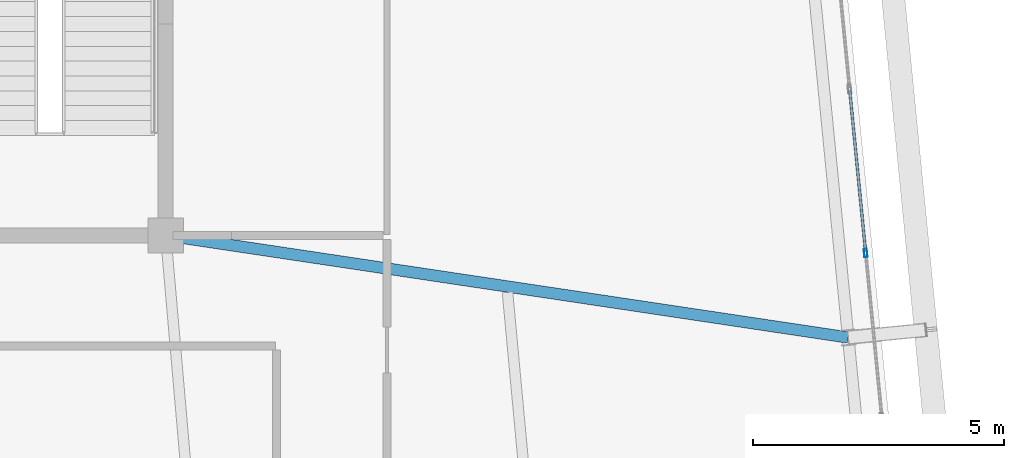
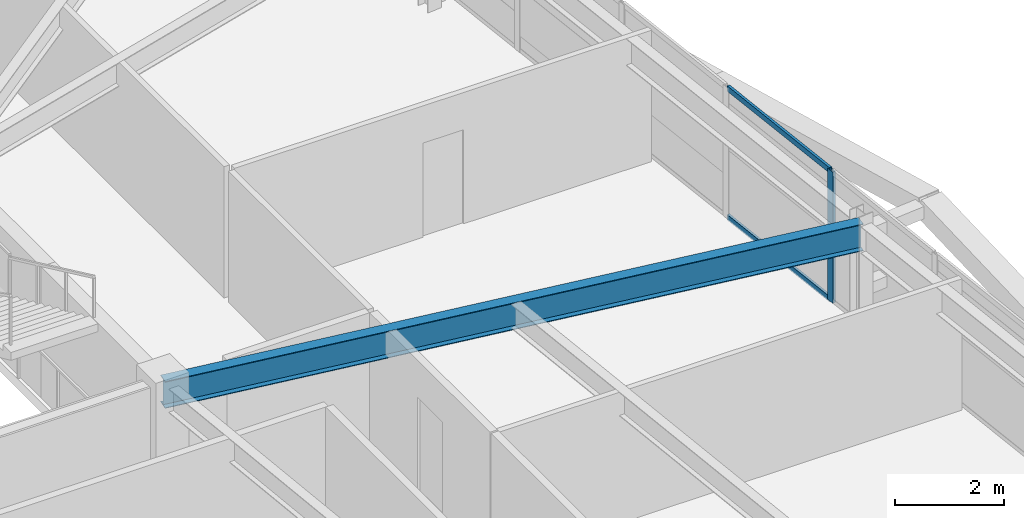
# One storey, part 25 of 54: 3 members, 1 beam, 1 element without a shape of its own.
"""IFC4 building model written with IfcOpenShell, lengths in metres."""

from ifc_helpers import new_model, si_unit, direction, frame, origin, origin_2d, place, context, subcontext, project, spatial, hollow_rectangle, i_section, extrude, source, transform, mapped, material, layer, layer_set, material_profile, profile_set, type_object, element, aggregate, save


model = new_model("IFC4")

# Units and contexts
model_context = context("Model", 3, precision=1e-05, world=origin(), true_north=direction((0.0, 1.0)))
body_context = subcontext(model_context, "Body", "Model", "MODEL_VIEW")
ifc_project = project(units=[si_unit("LENGTHUNIT", "METRE"), si_unit("AREAUNIT", "SQUARE_METRE"), si_unit("VOLUMEUNIT", "CUBIC_METRE"), si_unit("PLANEANGLEUNIT", "RADIAN"), si_unit("MASSUNIT", "GRAM", prefix="KILO")], contexts=[model_context])

# Site, building, storey
site_placement = place(None, origin())
site = spatial("IfcSite", under=ifc_project, at=site_placement, CompositionType="ELEMENT")
building_placement = place(site_placement, origin())
building = spatial("IfcBuilding", under=site, at=building_placement, Name="Taldren Reach Tower", CompositionType="ELEMENT")
storey_placement = place(building_placement, frame((0.0, 0.0, 99.75)))
storey = spatial("IfcBuildingStorey", under=building, at=storey_placement, Name="L30", CompositionType="ELEMENT", Elevation=99.75)

# Beam
ifc_material_1 = material(Name="Steel Gr 350 (350PLUS)", Category="steel")
ifc_material_profile_1 = material_profile(ifc_material_1, i_section(OverallWidth=0.22802734375, OverallDepth=0.60205078125, WebThickness=0.010498046875, FlangeThickness=0.014892578125, at=origin_2d()), Name="610UB101")
ifc_profile_set_1 = profile_set([ifc_material_profile_1], Name="Steel Gr 350 (350PLUS)")
beam_type = type_object("IfcBeamType", Name="BM-UB610B", PredefinedType="BEAM", material=ifc_profile_set_1)
shared_shape_1 = source(origin(), body_context, "Body", "SweptSolid", [
    extrude(i_section(OverallWidth=0.22802734375, OverallDepth=0.60205078125, WebThickness=0.010498046875, FlangeThickness=0.014892578125, at=origin_2d()), origin(), (0.0, 0.0, 1.0), 13.720703125),
])
beam_placement = place(storey_placement, frame((51.0, 24.0, 2.62890625), z_axis=(0.988983679407, -0.148024598856, 0.0), x_axis=(0.148024598856, 0.988983679407, 0.0)))
element("IfcBeam", 1, at=beam_placement, inside=storey, type_object=beam_type, Name="Primary floor girder B2-E2 L30", PredefinedType="BEAM", context=body_context, shape_type="MappedRepresentation", body=[
    mapped(shared_shape_1, transform((0.0, 0.0, 0.0), scale=1.0)),
])

# Curtain wall, members
ifc_material_2 = material(Name="Aluminium and Low-E Glass Unitised System", Category="aluminium")
ifc_layer = layer(ifc_material_2, 0.159912109375)
ifc_layer_set = layer_set([ifc_layer], Name="Aluminium and Low-E Glass Unitised System")
curtain_wall_type = type_object("IfcCurtainWallType", Name="CW-SYS-3", PredefinedType="NOTDEFINED", material=ifc_layer_set)
curtain_wall_placement = place(storey_placement, origin())
curtain_wall = element("IfcCurtainWall", 2, at=curtain_wall_placement, inside=storey, type_object=curtain_wall_type, Name="Unitised curtain wall CW-L30-E", PredefinedType="NOTDEFINED")
ifc_material_3 = material(Name="Anodised Aluminium 6063-T6", Category="aluminium")
ifc_material_profile_2 = material_profile(ifc_material_3, hollow_rectangle(XDim=0.06494140625, YDim=0.1650390625, WallThickness=0.00390625, at=origin_2d()), Name="ALU-165x65x4RHS")
ifc_profile_set_2 = profile_set([ifc_material_profile_2], Name="Anodised Aluminium 6063-T6")
member_type_1 = type_object("IfcMemberType", Name="CW-MUL-165", PredefinedType="MULLION", material=ifc_profile_set_2)
shared_shape_2 = source(origin(), body_context, "Body", "SweptSolid", [
    extrude(hollow_rectangle(XDim=0.06494140625, YDim=0.1650390625, WallThickness=0.00390625, at=origin_2d()), origin(), (0.0, 0.0, 1.0), 2.929931640625),
])
member_1_placement = place(storey_placement, frame((64.9169921875, 23.649658203125, 0.0), z_axis=(0.0, 0.0, 1.0), x_axis=(-0.99522741555, -0.09758274098, 0.0)))
member_1 = element("IfcMember", 3, at=member_1_placement, type_object=member_type_1, Name="CW-3 mullion 6", PredefinedType="MULLION", context=body_context, shape_type="MappedRepresentation", body=[
    mapped(shared_shape_2, transform((0.0, 0.0, 0.0), scale=1.0)),
])
ifc_material_profile_3 = material_profile(ifc_material_3, hollow_rectangle(XDim=0.054931640625, YDim=0.1201171875, WallThickness=0.0029296875, at=origin_2d()), Name="ALU-120x55x3RHS")
ifc_profile_set_3 = profile_set([ifc_material_profile_3], Name="Anodised Aluminium 6063-T6")
member_type_2 = type_object("IfcMemberType", Name="CW-TRN-135", PredefinedType="USERDEFINED", material=ifc_profile_set_3)
shared_shape_3 = source(origin(), body_context, "Body", "SweptSolid", [
    extrude(hollow_rectangle(XDim=0.054931640625, YDim=0.1201171875, WallThickness=0.0029296875, at=origin_2d()), origin(), (0.0, 0.0, 1.0), 3.212646484375),
])
member_2_placement = place(storey_placement, frame((64.913818359375, 23.68212890625, 0.027587890625), z_axis=(-0.097577327663, 0.995227946315, 0.0), x_axis=(-0.995227946315, -0.097577327663, 0.0)))
member_2 = element("IfcMember", 4, at=member_2_placement, type_object=member_type_2, Name="CW-3 transom 6.1", ObjectType="TRANSOM", PredefinedType="USERDEFINED", context=body_context, shape_type="MappedRepresentation", body=[
    mapped(shared_shape_3, transform((0.0, 0.0, 0.0), scale=1.0)),
])
member_3_placement = place(storey_placement, frame((64.913818359375, 23.68212890625, 2.902587890625), z_axis=(-0.097577327663, 0.995227946315, 0.0), x_axis=(-0.995227946315, -0.097577327663, 0.0)))
member_3 = element("IfcMember", 5, at=member_3_placement, type_object=member_type_2, Name="CW-3 transom 6.2", ObjectType="TRANSOM", PredefinedType="USERDEFINED", context=body_context, shape_type="MappedRepresentation", body=[
    mapped(shared_shape_3, transform((0.0, 0.0, 0.0), scale=1.0)),
])
aggregate(curtain_wall, [member_1, member_2, member_3])

save(model, "model.ifc")
